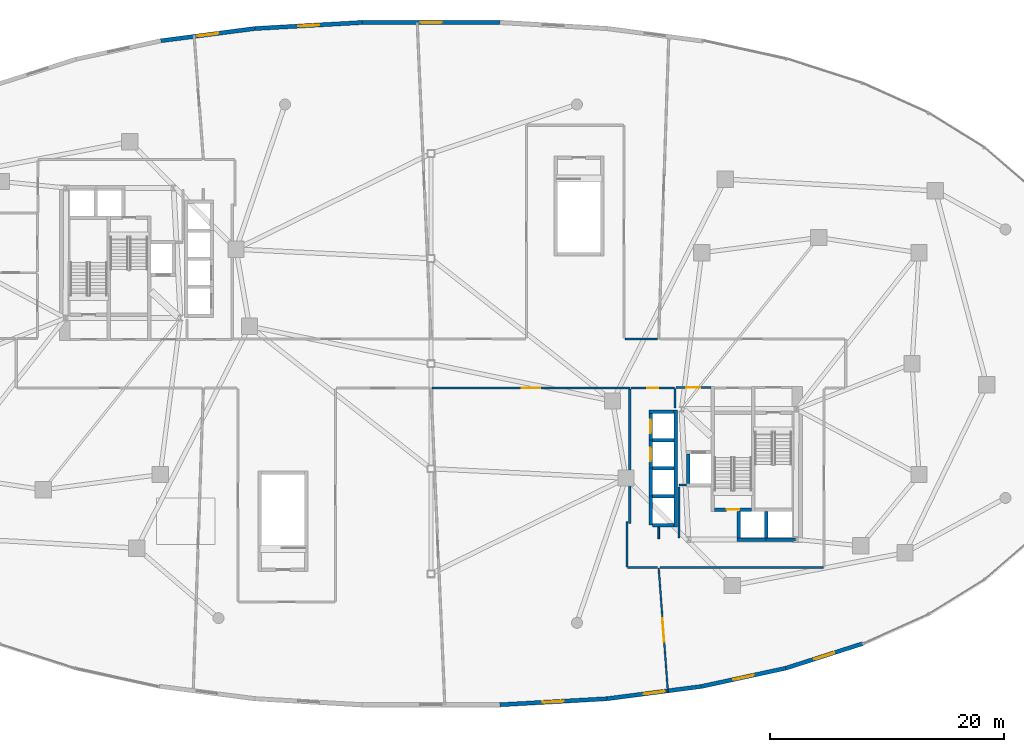
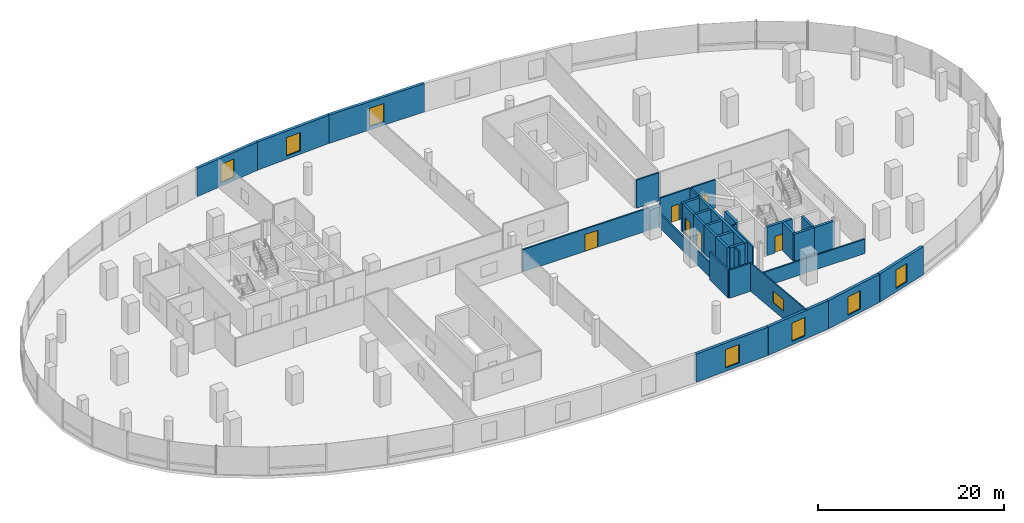
# One storey, part 14 of 18: 36 walls, 8 windows, 6 doors, 14 openings.
"""IFC4 building model written with IfcOpenShell, lengths in metres."""

from ifc_helpers import new_model, si_unit, direction, frame, frame_2d, origin, place, context, subcontext, project, spatial, rectangle, extrude, material, layer, layer_set, type_object, element, fill, save


model = new_model("IFC4")

# Units and contexts
model_context = context("Model", 3, precision=1e-05, world=origin(), true_north=direction((0.0, 1.0)))
body_context = subcontext(model_context, "Body", "Model", "MODEL_VIEW")
ifc_project = project(units=[si_unit("LENGTHUNIT", "METRE"), si_unit("AREAUNIT", "SQUARE_METRE"), si_unit("VOLUMEUNIT", "CUBIC_METRE"), si_unit("PLANEANGLEUNIT", "RADIAN"), si_unit("MASSUNIT", "GRAM", prefix="KILO"), si_unit("THERMODYNAMICTEMPERATUREUNIT", "KELVIN"), si_unit("POWERUNIT", "WATT")], contexts=[model_context])

# Site, building, storey
site_placement = place(None, origin())
site = spatial("IfcSite", under=ifc_project, at=site_placement, CompositionType="ELEMENT")
building_placement = place(site_placement, origin())
building = spatial("IfcBuilding", under=site, at=building_placement, Name="Cundina Bronze Exchange", CompositionType="ELEMENT")
storey_placement = place(building_placement, frame((0.0, 0.0, 20.0)))
storey = spatial("IfcBuildingStorey", under=building, at=storey_placement, Name="L04", CompositionType="ELEMENT", Elevation=20.0)

# Wall
ifc_material_1 = material(Name="Gypsum Fireboard Partition EI120")
ifc_layer_1 = layer(ifc_material_1, 0.179931640625, Name="Gypsum Fireboard Partition EI120")
ifc_layer_set_1 = layer_set([ifc_layer_1], Name="Gypsum Fireboard Partition EI120")
wall_type_1 = type_object("IfcWallType", Name="WL-COR-180", PredefinedType="PARTITIONING", material=ifc_layer_set_1)
wall_1_placement = place(storey_placement, frame((20.889892578125, -3.800048828125, 0.0), z_axis=(0.0, 0.0, 1.0), x_axis=(0.0, 1.0, 0.0)))
element("IfcWall", 1, at=wall_1_placement, inside=storey, type_object=wall_type_1, Name="L04 E Firefighting Lobby Side Wall", PredefinedType="PARTITIONING", context=body_context, shape_type="SweptSolid", body=[
    extrude(rectangle(XDim=1.650146484375, YDim=0.179931640625, at=frame_2d((0.8251953125, 0.0))), origin(), (0.0, 0.0, 1.0), 3.699951171875),
])

# Wall, opening, door
wall_2_placement = place(storey_placement, frame((20.97998046875, -2.06005859375, 0.0), z_axis=(0.0, 0.0, 1.0), x_axis=(1.0, 0.0, 0.0)))
wall_2 = element("IfcWall", 2, at=wall_2_placement, inside=storey, type_object=wall_type_1, Name="L04 E Firefighting Lobby Exit Wall", PredefinedType="PARTITIONING", context=body_context, shape_type="SweptSolid", body=[
    extrude(rectangle(XDim=3.0, YDim=0.179931640625, at=frame_2d((1.5, 0.0))), origin(), (0.0, 0.0, 1.0), 3.699951171875),
])
opening_1_placement = place(wall_2_placement, frame((0.89990234375, 0.0, 0.0)))
opening_1 = element("IfcOpeningElement", 3, at=opening_1_placement, cuts=wall_2, Name="Opening DF-01", PredefinedType="OPENING", context=body_context, shape_type="SweptSolid", body=[
    extrude(rectangle(XDim=1.199951171875, YDim=2.14990234375, at=frame_2d((0.60009765625, 1.074951171875))), frame((0.0, 0.099853515625, 0.0), z_axis=(0.0, -1.0, 0.0), x_axis=(1.0, 0.0, 0.0)), (0.0, 0.0, 1.0), 0.199951171875),
])
ifc_material_2 = material(Name="Steel ASTM A36 Painted", Category="steel")
door_type_1 = type_object("IfcDoorType", Name="DR-FFL-1200", OperationType="NOTDEFINED", PredefinedType="DOOR", material=ifc_material_2)
door_1_placement = place(opening_1_placement, origin())
door_1 = element("IfcDoor", 4, at=door_1_placement, inside=storey, type_object=door_type_1, Name="L04 E Firefighting Lobby Door", OperationType="SINGLE_SWING_LEFT", OverallHeight=2.14990234375, OverallWidth=1.199951171875, PredefinedType="DOOR", context=body_context, shape_type="SweptSolid", body=[
    extrude(rectangle(XDim=1.199951171875, YDim=2.14990234375, at=frame_2d((0.60009765625, 1.074951171875))), frame((0.0, 0.02490234375, 0.0), z_axis=(0.0, -1.0, 0.0), x_axis=(1.0, 0.0, 0.0)), (0.0, 0.0, 1.0), 0.050048828125),
])
fill(opening_1, door_1)

# Wall
wall_3_placement = place(storey_placement, frame((17.02001953125, -13.679931640625, 0.0), z_axis=(0.0, 0.0, 1.0), x_axis=(0.0, 1.0, 0.0)))
element("IfcWall", 5, at=wall_3_placement, inside=storey, type_object=wall_type_1, Name="L04 Interior Partition 006", PredefinedType="PARTITIONING", context=body_context, shape_type="SweptSolid", body=[
    extrude(rectangle(XDim=11.510009765625, YDim=0.179931640625, at=frame_2d((5.7548828125, 0.0))), origin(), (0.0, 0.0, 1.0), 1.89990234375),
])

# Wall, opening, door
wall_4_placement = place(storey_placement, frame((17.1201171875, -2.070068359375, 0.0), z_axis=(0.0, 0.0, 1.0), x_axis=(1.0, 0.0, 0.0)))
wall_4 = element("IfcWall", 6, at=wall_4_placement, inside=storey, type_object=wall_type_1, Name="L04 Interior Partition 007", PredefinedType="PARTITIONING", context=body_context, shape_type="SweptSolid", body=[
    extrude(rectangle(XDim=3.75, YDim=0.179931640625, at=frame_2d((1.875, 0.0))), origin(), (0.0, 0.0, 1.0), 3.699951171875),
])
opening_2_placement = place(wall_4_placement, frame((1.39990234375, 0.0, 0.0)))
opening_2 = element("IfcOpeningElement", 7, at=opening_2_placement, cuts=wall_4, Name="Opening DW-01", PredefinedType="OPENING", context=body_context, shape_type="SweptSolid", body=[
    extrude(rectangle(XDim=0.949951171875, YDim=2.10009765625, at=frame_2d((0.47509765625, 1.050048828125))), frame((0.0, 0.099853515625, 0.0), z_axis=(0.0, -1.0, 0.0), x_axis=(1.0, 0.0, 0.0)), (0.0, 0.0, 1.0), 0.199951171875),
])
ifc_material_3 = material(Name="Solid Andean Oak Timber Grade A", Category="wood")
door_type_2 = type_object("IfcDoorType", Name="DR-WC-950", OperationType="NOTDEFINED", PredefinedType="DOOR", material=ifc_material_3)
door_2_placement = place(opening_2_placement, origin())
door_2 = element("IfcDoor", 8, at=door_2_placement, inside=storey, type_object=door_type_2, Name="L04 Interior Door 007", OperationType="SINGLE_SWING_RIGHT", OverallHeight=2.10009765625, OverallWidth=0.949951171875, PredefinedType="DOOR", context=body_context, shape_type="SweptSolid", body=[
    extrude(rectangle(XDim=0.949951171875, YDim=2.10009765625, at=frame_2d((0.47509765625, 1.050048828125))), frame((0.0, 0.02490234375, 0.0), z_axis=(0.0, -1.0, 0.0), x_axis=(1.0, 0.0, 0.0)), (0.0, 0.0, 1.0), 0.050048828125),
])
fill(opening_2, door_2)

# Wall
wall_5_placement = place(storey_placement, frame((21.25, -14.929931640625, 0.0), z_axis=(0.0, 0.0, 1.0), x_axis=(0.0, 1.0, 0.0)))
element("IfcWall", 9, at=wall_5_placement, inside=storey, type_object=wall_type_1, Name="L04 Interior Partition 009", PredefinedType="PARTITIONING", context=body_context, shape_type="SweptSolid", body=[
    extrude(rectangle(XDim=4.35986328125, YDim=0.179931640625, at=frame_2d((2.179931640625, 0.0))), origin(), (0.0, 0.0, 1.0), 3.699951171875),
])

# Wall, opening, door
wall_6_placement = place(storey_placement, frame((0.094970703125, -2.10009765625, 0.0), z_axis=(0.0, 0.0, 1.0), x_axis=(1.0, 0.0, 0.0)))
wall_6 = element("IfcWall", 10, at=wall_6_placement, inside=storey, type_object=wall_type_1, Name="L04 Interior Partition 032", PredefinedType="PARTITIONING", context=body_context, shape_type="SweptSolid", body=[
    extrude(rectangle(XDim=16.945068359375, YDim=0.179931640625, at=frame_2d((8.47265625, 0.0))), origin(), (0.0, 0.0, 1.0), 2.922119140625),
])
opening_3_placement = place(wall_6_placement, frame((7.672607421875, 0.0, 0.0)))
opening_3 = element("IfcOpeningElement", 11, at=opening_3_placement, cuts=wall_6, Name="Opening DO-02", PredefinedType="OPENING", context=body_context, shape_type="SweptSolid", body=[
    extrude(rectangle(XDim=1.60009765625, YDim=2.199951171875, at=frame_2d((0.800048828125, 1.10009765625))), frame((0.0, 0.099853515625, 0.0), z_axis=(0.0, -1.0, 0.0), x_axis=(1.0, 0.0, 0.0)), (0.0, 0.0, 1.0), 0.199951171875),
])
door_type_3 = type_object("IfcDoorType", Name="DR-TRD-1600", OperationType="NOTDEFINED", PredefinedType="DOOR", material=ifc_material_3)
door_3_placement = place(opening_3_placement, origin())
door_3 = element("IfcDoor", 12, at=door_3_placement, inside=storey, type_object=door_type_3, Name="L04 Interior Door 032", OperationType="SINGLE_SWING_LEFT", OverallHeight=2.199951171875, OverallWidth=1.60009765625, PredefinedType="DOOR", context=body_context, shape_type="SweptSolid", body=[
    extrude(rectangle(XDim=1.60009765625, YDim=2.199951171875, at=frame_2d((0.800048828125, 1.10009765625))), frame((0.0, 0.02490234375, 0.0), z_axis=(0.0, -1.0, 0.0), x_axis=(1.0, 0.0, 0.0)), (0.0, 0.0, 1.0), 0.050048828125),
])
fill(opening_3, door_3)

# Walls
wall_7_placement = place(storey_placement, frame((16.780029296875, -13.521484375, 0.0), z_axis=(0.0, 0.0, 1.0), x_axis=(0.0, -1.0, 0.0)))
element("IfcWall", 13, at=wall_7_placement, inside=storey, type_object=wall_type_1, Name="L04 Interior Partition 033", PredefinedType="PARTITIONING", context=body_context, shape_type="SweptSolid", body=[
    extrude(rectangle(XDim=3.906982421875, YDim=0.179931640625, at=frame_2d((1.95361328125, 0.0))), origin(), (0.0, 0.0, 1.0), 3.699951171875),
])
wall_8_placement = place(storey_placement, frame((16.821533203125, -17.469970703125, 0.0), z_axis=(0.0, 0.0, 1.0), x_axis=(1.0, 0.0, 0.0)))
element("IfcWall", 14, at=wall_8_placement, inside=storey, type_object=wall_type_1, Name="L04 Interior Partition 034", PredefinedType="PARTITIONING", context=body_context, shape_type="SweptSolid", body=[
    extrude(rectangle(XDim=2.58349609375, YDim=0.179931640625, at=frame_2d((1.291748046875, 0.0))), origin(), (0.0, 0.0, 1.0), 3.699951171875),
])
wall_9_placement = place(storey_placement, frame((19.594970703125, -17.469970703125, 0.0), z_axis=(0.0, 0.0, 1.0), x_axis=(1.0, 0.0, 0.0)))
element("IfcWall", 15, at=wall_9_placement, inside=storey, type_object=wall_type_1, Name="L04 Interior Partition 041", PredefinedType="PARTITIONING", context=body_context, shape_type="SweptSolid", body=[
    extrude(rectangle(XDim=14.033447265625, YDim=0.179931640625, at=frame_2d((7.0166015625, 0.0))), origin(), (0.0, 0.0, 1.0), 1.89990234375),
])
wall_10_placement = place(storey_placement, frame((19.405029296875, 2.10009765625, 0.0), z_axis=(0.0, 0.0, 1.0), x_axis=(-1.0, 0.0, 0.0)))
element("IfcWall", 16, at=wall_10_placement, inside=storey, type_object=wall_type_1, Name="L04 Interior Partition 051", PredefinedType="PARTITIONING", context=body_context, shape_type="SweptSolid", body=[
    extrude(rectangle(XDim=2.804931640625, YDim=0.179931640625, at=frame_2d((1.40234375, 0.0))), origin(), (0.0, 0.0, 1.0), 3.699951171875),
])

# Wall, opening, window
ifc_material_4 = material(Name="Concrete C40/50", Category="concrete")
ifc_layer_2 = layer(ifc_material_4, 0.35009765625, Name="Concrete C40/50", Category="concrete")
ifc_layer_set_2 = layer_set([ifc_layer_2], Name="Concrete C40/50")
wall_type_2 = type_object("IfcWallType", Name="WL-EXT-350", PredefinedType="SOLIDWALL", material=ifc_layer_set_2)
wall_11_placement = place(storey_placement, frame((5.892578125, 29.21630859375, 0.0), z_axis=(0.0, 0.0, 1.0), x_axis=(-1.0, 0.0, 0.0)))
wall_11 = element("IfcWall", 17, at=wall_11_placement, inside=storey, type_object=wall_type_2, Name="L04 Podium Exterior Wall 10", PredefinedType="SOLIDWALL", context=body_context, shape_type="SweptSolid", body=[
    extrude(rectangle(XDim=11.78515625, YDim=0.35009765625, at=frame_2d((5.892578125, 0.0))), origin(), (0.0, 0.0, 1.0), 3.699951171875),
])
opening_4_placement = place(wall_11_placement, frame((4.991943359375, 0.0, 0.449951171875)))
opening_4 = element("IfcOpeningElement", 18, at=opening_4_placement, cuts=wall_11, Name="Opening W-02", PredefinedType="OPENING", context=body_context, shape_type="SweptSolid", body=[
    extrude(rectangle(XDim=1.800048828125, YDim=2.39990234375, at=frame_2d((0.89990234375, 1.199951171875))), frame((0.0, 0.18505859375, 0.0), z_axis=(0.0, -1.0, 0.0), x_axis=(1.0, 0.0, 0.0)), (0.0, 0.0, 1.0), 0.3701171875),
])
ifc_material_5 = material(Name="Heat-Strengthened Solar-Control Bronze Safety Glass 28mm", Category="glass")
window_type_1 = type_object("IfcWindowType", Name="WN-POD-1800", PartitioningType="SINGLE_PANEL", PredefinedType="WINDOW", material=ifc_material_5)
window_1_placement = place(opening_4_placement, origin())
window_1 = element("IfcWindow", 19, at=window_1_placement, inside=storey, type_object=window_type_1, Name="L04 Podium Punched Window 10", OverallHeight=2.39990234375, OverallWidth=1.800048828125, PartitioningType="SINGLE_PANEL", PredefinedType="WINDOW", context=body_context, shape_type="SweptSolid", body=[
    extrude(rectangle(XDim=1.800048828125, YDim=2.39990234375, at=frame_2d((0.89990234375, 1.199951171875))), frame((0.0, 0.030029296875, 0.0), z_axis=(0.0, -1.0, 0.0), x_axis=(1.0, 0.0, 0.0)), (0.0, 0.0, 1.0), 0.06005859375),
])
fill(opening_4, window_1)

wall_12_placement = place(storey_placement, frame((-5.892578125, 29.21630859375, 0.0), z_axis=(0.0, 0.0, 1.0), x_axis=(-0.998413463137, -0.056307695976, 0.0)))
wall_12 = element("IfcWall", 20, at=wall_12_placement, inside=storey, type_object=wall_type_2, Name="L04 Podium Exterior Wall 11", PredefinedType="SOLIDWALL", context=body_context, shape_type="SweptSolid", body=[
    extrude(rectangle(XDim=9.20068359375, YDim=0.35009765625, at=frame_2d((4.600341796875, 0.0))), origin(), (0.0, 0.0, 1.0), 3.699951171875),
])
opening_5_placement = place(wall_12_placement, frame((3.699951171875, 0.0, 0.449951171875)))
opening_5 = element("IfcOpeningElement", 21, at=opening_5_placement, cuts=wall_12, Name="Opening W-02", PredefinedType="OPENING", context=body_context, shape_type="SweptSolid", body=[
    extrude(rectangle(XDim=1.800048828125, YDim=2.39990234375, at=frame_2d((0.89990234375, 1.199951171875))), frame((0.0, 0.18505859375, 0.0), z_axis=(0.0, -1.0, 0.0), x_axis=(1.0, 0.0, 0.0)), (0.0, 0.0, 1.0), 0.3701171875),
])
window_2_placement = place(opening_5_placement, origin())
window_2 = element("IfcWindow", 22, at=window_2_placement, inside=storey, type_object=window_type_1, Name="L04 Podium Punched Window 11", OverallHeight=2.39990234375, OverallWidth=1.800048828125, PartitioningType="SINGLE_PANEL", PredefinedType="WINDOW", context=body_context, shape_type="SweptSolid", body=[
    extrude(rectangle(XDim=1.800048828125, YDim=2.39990234375, at=frame_2d((0.89990234375, 1.199951171875))), frame((0.0, 0.030029296875, 0.0), z_axis=(0.0, -1.0, 0.0), x_axis=(1.0, 0.0, 0.0)), (0.0, 0.0, 1.0), 0.06005859375),
])
fill(opening_5, window_2)

wall_13_placement = place(storey_placement, frame((-15.07861328125, 28.6982421875, 0.0), z_axis=(0.0, 0.0, 1.0), x_axis=(-0.991688106477, -0.128665067026, 0.0)))
wall_13 = element("IfcWall", 23, at=wall_13_placement, inside=storey, type_object=wall_type_2, Name="L04 Podium Exterior Wall 12", PredefinedType="SOLIDWALL", context=body_context, shape_type="SweptSolid", body=[
    extrude(rectangle(XDim=8.12890625, YDim=0.35009765625, at=frame_2d((4.064453125, 0.0))), origin(), (0.0, 0.0, 1.0), 3.699951171875),
])
opening_6_placement = place(wall_13_placement, frame((3.1640625, 0.0, 0.449951171875)))
opening_6 = element("IfcOpeningElement", 24, at=opening_6_placement, cuts=wall_13, Name="Opening W-02", PredefinedType="OPENING", context=body_context, shape_type="SweptSolid", body=[
    extrude(rectangle(XDim=1.800048828125, YDim=2.39990234375, at=frame_2d((0.89990234375, 1.199951171875))), frame((0.0, 0.18505859375, 0.0), z_axis=(0.0, -1.0, 0.0), x_axis=(1.0, 0.0, 0.0)), (0.0, 0.0, 1.0), 0.3701171875),
])
window_3_placement = place(opening_6_placement, origin())
window_3 = element("IfcWindow", 25, at=window_3_placement, inside=storey, type_object=window_type_1, Name="L04 Podium Punched Window 12", OverallHeight=2.39990234375, OverallWidth=1.800048828125, PartitioningType="SINGLE_PANEL", PredefinedType="WINDOW", context=body_context, shape_type="SweptSolid", body=[
    extrude(rectangle(XDim=1.800048828125, YDim=2.39990234375, at=frame_2d((0.89990234375, 1.199951171875))), frame((0.0, 0.030029296875, 0.0), z_axis=(0.0, -1.0, 0.0), x_axis=(1.0, 0.0, 0.0)), (0.0, 0.0, 1.0), 0.06005859375),
])
fill(opening_6, window_3)

wall_14_placement = place(storey_placement, frame((5.892578125, -29.21630859375, 0.0), z_axis=(0.0, 0.0, 1.0), x_axis=(0.998413463137, 0.056307695976, 0.0)))
wall_14 = element("IfcWall", 26, at=wall_14_placement, inside=storey, type_object=wall_type_2, Name="L04 Podium Exterior Wall 33", PredefinedType="SOLIDWALL", context=body_context, shape_type="SweptSolid", body=[
    extrude(rectangle(XDim=9.20068359375, YDim=0.35009765625, at=frame_2d((4.600341796875, 0.0))), origin(), (0.0, 0.0, 1.0), 3.699951171875),
])
opening_7_placement = place(wall_14_placement, frame((3.699951171875, 0.0, 0.449951171875)))
opening_7 = element("IfcOpeningElement", 27, at=opening_7_placement, cuts=wall_14, Name="Opening W-02", PredefinedType="OPENING", context=body_context, shape_type="SweptSolid", body=[
    extrude(rectangle(XDim=1.800048828125, YDim=2.39990234375, at=frame_2d((0.89990234375, 1.199951171875))), frame((0.0, 0.18505859375, 0.0), z_axis=(0.0, -1.0, 0.0), x_axis=(1.0, 0.0, 0.0)), (0.0, 0.0, 1.0), 0.3701171875),
])
window_4_placement = place(opening_7_placement, origin())
window_4 = element("IfcWindow", 28, at=window_4_placement, inside=storey, type_object=window_type_1, Name="L04 Podium Punched Window 33", OverallHeight=2.39990234375, OverallWidth=1.800048828125, PartitioningType="SINGLE_PANEL", PredefinedType="WINDOW", context=body_context, shape_type="SweptSolid", body=[
    extrude(rectangle(XDim=1.800048828125, YDim=2.39990234375, at=frame_2d((0.89990234375, 1.199951171875))), frame((0.0, 0.030029296875, 0.0), z_axis=(0.0, -1.0, 0.0), x_axis=(1.0, 0.0, 0.0)), (0.0, 0.0, 1.0), 0.06005859375),
])
fill(opening_7, window_4)

wall_15_placement = place(storey_placement, frame((15.07861328125, -28.6982421875, 0.0), z_axis=(0.0, 0.0, 1.0), x_axis=(0.991688106477, 0.128665067026, 0.0)))
wall_15 = element("IfcWall", 29, at=wall_15_placement, inside=storey, type_object=wall_type_2, Name="L04 Podium Exterior Wall 34", PredefinedType="SOLIDWALL", context=body_context, shape_type="SweptSolid", body=[
    extrude(rectangle(XDim=8.12890625, YDim=0.35009765625, at=frame_2d((4.064453125, 0.0))), origin(), (0.0, 0.0, 1.0), 3.699951171875),
])
opening_8_placement = place(wall_15_placement, frame((3.1640625, 0.0, 0.449951171875)))
opening_8 = element("IfcOpeningElement", 30, at=opening_8_placement, cuts=wall_15, Name="Opening W-02", PredefinedType="OPENING", context=body_context, shape_type="SweptSolid", body=[
    extrude(rectangle(XDim=1.800048828125, YDim=2.39990234375, at=frame_2d((0.89990234375, 1.199951171875))), frame((0.0, 0.18505859375, 0.0), z_axis=(0.0, -1.0, 0.0), x_axis=(1.0, 0.0, 0.0)), (0.0, 0.0, 1.0), 0.3701171875),
])
window_5_placement = place(opening_8_placement, origin())
window_5 = element("IfcWindow", 31, at=window_5_placement, inside=storey, type_object=window_type_1, Name="L04 Podium Punched Window 34", OverallHeight=2.39990234375, OverallWidth=1.800048828125, PartitioningType="SINGLE_PANEL", PredefinedType="WINDOW", context=body_context, shape_type="SweptSolid", body=[
    extrude(rectangle(XDim=1.800048828125, YDim=2.39990234375, at=frame_2d((0.89990234375, 1.199951171875))), frame((0.0, 0.030029296875, 0.0), z_axis=(0.0, -1.0, 0.0), x_axis=(1.0, 0.0, 0.0)), (0.0, 0.0, 1.0), 0.06005859375),
])
fill(opening_8, window_5)

wall_16_placement = place(storey_placement, frame((23.139892578125, -27.65234375, 0.0), z_axis=(0.0, 0.0, 1.0), x_axis=(0.977456656467, 0.211136175795, 0.0)))
wall_16 = element("IfcWall", 32, at=wall_16_placement, inside=storey, type_object=wall_type_2, Name="L04 Podium Exterior Wall 35", PredefinedType="SOLIDWALL", context=body_context, shape_type="SweptSolid", body=[
    extrude(rectangle(XDim=7.40625, YDim=0.35009765625, at=frame_2d((3.703125, 0.0))), origin(), (0.0, 0.0, 1.0), 3.699951171875),
])
opening_9_placement = place(wall_16_placement, frame((2.802978515625, 0.0, 0.449951171875)))
opening_9 = element("IfcOpeningElement", 33, at=opening_9_placement, cuts=wall_16, Name="Opening W-02", PredefinedType="OPENING", context=body_context, shape_type="SweptSolid", body=[
    extrude(rectangle(XDim=1.800048828125, YDim=2.39990234375, at=frame_2d((0.89990234375, 1.199951171875))), frame((0.0, 0.18505859375, 0.0), z_axis=(0.0, -1.0, 0.0), x_axis=(1.0, 0.0, 0.0)), (0.0, 0.0, 1.0), 0.3701171875),
])
window_6_placement = place(opening_9_placement, origin())
window_6 = element("IfcWindow", 34, at=window_6_placement, inside=storey, type_object=window_type_1, Name="L04 Podium Punched Window 35", OverallHeight=2.39990234375, OverallWidth=1.800048828125, PartitioningType="SINGLE_PANEL", PredefinedType="WINDOW", context=body_context, shape_type="SweptSolid", body=[
    extrude(rectangle(XDim=1.800048828125, YDim=2.39990234375, at=frame_2d((0.89990234375, 1.199951171875))), frame((0.0, 0.030029296875, 0.0), z_axis=(0.0, -1.0, 0.0), x_axis=(1.0, 0.0, 0.0)), (0.0, 0.0, 1.0), 0.06005859375),
])
fill(opening_9, window_6)

wall_17_placement = place(storey_placement, frame((30.379150390625, -26.088623046875, 0.0), z_axis=(0.0, 0.0, 1.0), x_axis=(0.952587993211, 0.304263233385, 0.0)))
wall_17 = element("IfcWall", 35, at=wall_17_placement, inside=storey, type_object=wall_type_2, Name="L04 Podium Exterior Wall 36", PredefinedType="SOLIDWALL", context=body_context, shape_type="SweptSolid", body=[
    extrude(rectangle(XDim=6.931884765625, YDim=0.35009765625, at=frame_2d((3.4658203125, 0.0))), origin(), (0.0, 0.0, 1.0), 3.699951171875),
])
opening_10_placement = place(wall_17_placement, frame((2.56591796875, 0.0, 0.449951171875)))
opening_10 = element("IfcOpeningElement", 36, at=opening_10_placement, cuts=wall_17, Name="Opening W-02", PredefinedType="OPENING", context=body_context, shape_type="SweptSolid", body=[
    extrude(rectangle(XDim=1.800048828125, YDim=2.39990234375, at=frame_2d((0.89990234375, 1.199951171875))), frame((0.0, 0.18505859375, 0.0), z_axis=(0.0, -1.0, 0.0), x_axis=(1.0, 0.0, 0.0)), (0.0, 0.0, 1.0), 0.3701171875),
])
window_7_placement = place(opening_10_placement, origin())
window_7 = element("IfcWindow", 37, at=window_7_placement, inside=storey, type_object=window_type_1, Name="L04 Podium Punched Window 36", OverallHeight=2.39990234375, OverallWidth=1.800048828125, PartitioningType="SINGLE_PANEL", PredefinedType="WINDOW", context=body_context, shape_type="SweptSolid", body=[
    extrude(rectangle(XDim=1.800048828125, YDim=2.39990234375, at=frame_2d((0.89990234375, 1.199951171875))), frame((0.0, 0.030029296875, 0.0), z_axis=(0.0, -1.0, 0.0), x_axis=(1.0, 0.0, 0.0)), (0.0, 0.0, 1.0), 0.06005859375),
])
fill(opening_10, window_7)

# Wall, opening, door
ifc_material_6 = material(Name="Concrete C50/60", Category="concrete")
ifc_layer_3 = layer(ifc_material_6, 0.300048828125, Name="Concrete C50/60", Category="concrete")
ifc_layer_set_3 = layer_set([ifc_layer_3], Name="Concrete C50/60")
wall_type_3 = type_object("IfcWallType", Name="WL-SHFT-300", PredefinedType="SHEAR", material=ifc_layer_set_3)
wall_18_placement = place(storey_placement, frame((24.280029296875, -12.5, 0.0), z_axis=(0.0, 0.0, 1.0), x_axis=(1.0, 0.0, 0.0)))
wall_18 = element("IfcWall", 38, at=wall_18_placement, inside=storey, type_object=wall_type_3, Name="L04 Stair E2 Landing Wall", PredefinedType="SHEAR", context=body_context, shape_type="SweptSolid", body=[
    extrude(rectangle(XDim=3.159912109375, YDim=0.300048828125, at=frame_2d((1.580078125, 0.0))), origin(), (0.0, 0.0, 1.0), 3.699951171875),
])
opening_11_placement = place(wall_18_placement, frame((1.030029296875, 0.0, 0.0)))
opening_11 = element("IfcOpeningElement", 39, at=opening_11_placement, cuts=wall_18, Name="Opening DS-01", PredefinedType="OPENING", context=body_context, shape_type="SweptSolid", body=[
    extrude(rectangle(XDim=1.10009765625, YDim=2.14990234375, at=frame_2d((0.550048828125, 1.074951171875))), frame((0.0, 0.159912109375, 0.0), z_axis=(0.0, -1.0, 0.0), x_axis=(1.0, 0.0, 0.0)), (0.0, 0.0, 1.0), 0.320068359375),
])
door_type_4 = type_object("IfcDoorType", Name="DR-STR-1100", OperationType="NOTDEFINED", PredefinedType="DOOR", material=ifc_material_2)
door_4_placement = place(opening_11_placement, origin())
door_4 = element("IfcDoor", 40, at=door_4_placement, inside=storey, type_object=door_type_4, Name="L04 Smokeproof Stair E2 Door", OperationType="SINGLE_SWING_RIGHT", OverallHeight=2.14990234375, OverallWidth=1.10009765625, PredefinedType="DOOR", context=body_context, shape_type="SweptSolid", body=[
    extrude(rectangle(XDim=1.10009765625, YDim=2.14990234375, at=frame_2d((0.550048828125, 1.074951171875))), frame((0.0, 0.02490234375, 0.0), z_axis=(0.0, -1.0, 0.0), x_axis=(1.0, 0.0, 0.0)), (0.0, 0.0, 1.0), 0.050048828125),
])
fill(opening_11, door_4)

# Walls
for number, where, z_axis, x_axis, name in (
    (41, (22.030029296875, -10.25, 0.0), (0.0, 0.0, 1.0), (0.0, 1.0, 0.0), "L04 FFL-E Hoistway Side Wall"),
    (42, (28.699951171875, -15.10009765625, 0.0), (0.0, 0.0, 1.0), (1.0, 0.0, 0.0), "L04 PH-E1 Hoistway Front Wall"),
):
    element("IfcWall", number, at=place(storey_placement, frame(where, z_axis=z_axis, x_axis=x_axis)), inside=storey, type_object=wall_type_3, Name=name, PredefinedType="SHEAR", context=body_context, shape_type="SweptSolid", body=[
        extrude(rectangle(XDim=2.5, YDim=0.300048828125, at=frame_2d((1.25, 0.0))), origin(), (0.0, 0.0, 1.0), 3.699951171875),
    ])
wall_19_placement = place(storey_placement, frame((28.699951171875, -14.949951171875, 0.0), z_axis=(0.0, 0.0, 1.0), x_axis=(0.0, 1.0, 0.0)))
element("IfcWall", 43, at=wall_19_placement, inside=storey, type_object=wall_type_3, Name="L04 PH-E1 Hoistway Divider Wall", PredefinedType="SHEAR", context=body_context, shape_type="SweptSolid", body=[
    extrude(rectangle(XDim=2.300048828125, YDim=0.300048828125, at=frame_2d((1.14990234375, 0.0))), origin(), (0.0, 0.0, 1.0), 3.699951171875),
])
wall_20_placement = place(storey_placement, frame((26.199951171875, -15.10009765625, 0.0), z_axis=(0.0, 0.0, 1.0), x_axis=(1.0, 0.0, 0.0)))
element("IfcWall", 44, at=wall_20_placement, inside=storey, type_object=wall_type_3, Name="L04 PH-E2 Hoistway Front Wall", PredefinedType="SHEAR", context=body_context, shape_type="SweptSolid", body=[
    extrude(rectangle(XDim=2.5, YDim=0.300048828125, at=frame_2d((1.25, 0.0))), origin(), (0.0, 0.0, 1.0), 3.699951171875),
])
wall_21_placement = place(storey_placement, frame((26.35009765625, -14.949951171875, 0.0), z_axis=(0.0, 0.0, 1.0), x_axis=(0.0, 1.0, 0.0)))
element("IfcWall", 45, at=wall_21_placement, inside=storey, type_object=wall_type_3, Name="L04 PH-E2 Hoistway Divider Wall", PredefinedType="SHEAR", context=body_context, shape_type="SweptSolid", body=[
    extrude(rectangle(XDim=2.300048828125, YDim=0.300048828125, at=frame_2d((1.14990234375, 0.0))), origin(), (0.0, 0.0, 1.0), 3.699951171875),
])
wall_22_placement = place(storey_placement, frame((20.949951171875, -14.0, 0.0), z_axis=(0.0, 0.0, 1.0), x_axis=(0.0, 1.0, 0.0)))
element("IfcWall", 46, at=wall_22_placement, inside=storey, type_object=wall_type_3, Name="L04 E Passenger Bank Hoistway Back Wall", PredefinedType="SHEAR", context=body_context, shape_type="SweptSolid", body=[
    extrude(rectangle(XDim=10.050048828125, YDim=0.300048828125, at=frame_2d((5.02490234375, 0.0))), origin(), (0.0, 0.0, 1.0), 3.699951171875),
])
wall_23_placement = place(storey_placement, frame((18.949951171875, -13.85009765625, 0.0), z_axis=(0.0, 0.0, 1.0), x_axis=(1.0, 0.0, 0.0)))
element("IfcWall", 47, at=wall_23_placement, inside=storey, type_object=wall_type_3, Name="L04 E Passenger Bank South Cap Wall", PredefinedType="SHEAR", context=body_context, shape_type="SweptSolid", body=[
    extrude(rectangle(XDim=1.85009765625, YDim=0.300048828125, at=frame_2d((0.925048828125, 0.0))), origin(), (0.0, 0.0, 1.0), 3.699951171875),
])
wall_24_placement = place(storey_placement, frame((18.64990234375, -4.10009765625, 0.0), z_axis=(0.0, 0.0, 1.0), x_axis=(1.0, 0.0, 0.0)))
element("IfcWall", 48, at=wall_24_placement, inside=storey, type_object=wall_type_3, Name="L04 E Passenger Bank North Cap Wall", PredefinedType="SHEAR", context=body_context, shape_type="SweptSolid", body=[
    extrude(rectangle(XDim=2.150146484375, YDim=0.300048828125, at=frame_2d((1.0751953125, 0.0))), origin(), (0.0, 0.0, 1.0), 3.699951171875),
])
for number, where, z_axis, x_axis, name in (
    (49, (18.949951171875, -11.375, 0.0), (0.0, 0.0, 1.0), (1.0, 0.0, 0.0), "L04 E Passenger Hoistway Divider 1"),
    (50, (18.949951171875, -8.97509765625, 0.0), (0.0, 0.0, 1.0), (1.0, 0.0, 0.0), "L04 E Passenger Hoistway Divider 2"),
    (51, (18.949951171875, -6.574951171875, 0.0), (0.0, 0.0, 1.0), (1.0, 0.0, 0.0), "L04 E Passenger Hoistway Divider 3"),
):
    element("IfcWall", number, at=place(storey_placement, frame(where, z_axis=z_axis, x_axis=x_axis)), inside=storey, type_object=wall_type_3, Name=name, PredefinedType="SHEAR", context=body_context, shape_type="SweptSolid", body=[
        extrude(rectangle(XDim=1.85009765625, YDim=0.300048828125, at=frame_2d((0.925048828125, 0.0))), origin(), (0.0, 0.0, 1.0), 3.699951171875),
    ])
for number, where, z_axis, x_axis, name in (
    (52, (18.800048828125, -13.820068359375, 0.0), (0.0, 0.0, 1.0), (0.0, 1.0, 0.0), "L04 PM-E1 Hoistway Front Wall"),
    (53, (18.800048828125, -11.419921875, 0.0), (0.0, 0.0, 1.0), (0.0, 1.0, 0.0), "L04 PM-E2 Hoistway Front Wall"),
):
    element("IfcWall", number, at=place(storey_placement, frame(where, z_axis=z_axis, x_axis=x_axis)), inside=storey, type_object=wall_type_3, Name=name, PredefinedType="SHEAR", context=body_context, shape_type="SweptSolid", body=[
        extrude(rectangle(XDim=2.489990234375, YDim=0.300048828125, at=frame_2d((1.2451171875, 0.0))), origin(), (0.0, 0.0, 1.0), 3.699951171875),
    ])

# Wall, opening, door
wall_25_placement = place(storey_placement, frame((18.800048828125, -9.02001953125, 0.0), z_axis=(0.0, 0.0, 1.0), x_axis=(0.0, 1.0, 0.0)))
wall_25 = element("IfcWall", 54, at=wall_25_placement, inside=storey, type_object=wall_type_3, Name="L04 PL-E1 Hoistway Front Wall", PredefinedType="SHEAR", context=body_context, shape_type="SweptSolid", body=[
    extrude(rectangle(XDim=2.489990234375, YDim=0.300048828125, at=frame_2d((1.2451171875, 0.0))), origin(), (0.0, 0.0, 1.0), 3.699951171875),
])
opening_12_placement = place(wall_25_placement, frame((0.669921875, 0.0, 0.0)))
opening_12 = element("IfcOpeningElement", 55, at=opening_12_placement, cuts=wall_25, Name="Opening LD-01", PredefinedType="OPENING", context=body_context, shape_type="SweptSolid", body=[
    extrude(rectangle(XDim=1.14990234375, YDim=2.199951171875, at=frame_2d((0.574951171875, 1.10009765625))), frame((0.0, 0.159912109375, 0.0), z_axis=(0.0, -1.0, 0.0), x_axis=(1.0, 0.0, 0.0)), (0.0, 0.0, 1.0), 0.320068359375),
])
door_type_5 = type_object("IfcDoorType", Name="DR-LND-1150", OperationType="NOTDEFINED", PredefinedType="TRAPDOOR", material=ifc_material_2)
door_5_placement = place(opening_12_placement, origin())
door_5 = element("IfcDoor", 56, at=door_5_placement, inside=storey, type_object=door_type_5, Name="L04 PL-E1 Sliding Landing Door", OperationType="SLIDING_TO_LEFT", OverallHeight=2.199951171875, OverallWidth=1.14990234375, PredefinedType="TRAPDOOR", context=body_context, shape_type="SweptSolid", body=[
    extrude(rectangle(XDim=1.14990234375, YDim=2.199951171875, at=frame_2d((0.574951171875, 1.10009765625))), frame((0.0, 0.02490234375, 0.0), z_axis=(0.0, -1.0, 0.0), x_axis=(1.0, 0.0, 0.0)), (0.0, 0.0, 1.0), 0.050048828125),
])
fill(opening_12, door_5)

wall_26_placement = place(storey_placement, frame((18.800048828125, -6.6201171875, 0.0), z_axis=(0.0, 0.0, 1.0), x_axis=(0.0, 1.0, 0.0)))
wall_26 = element("IfcWall", 57, at=wall_26_placement, inside=storey, type_object=wall_type_3, Name="L04 PL-E2 Hoistway Front Wall", PredefinedType="SHEAR", context=body_context, shape_type="SweptSolid", body=[
    extrude(rectangle(XDim=2.490234375, YDim=0.300048828125, at=frame_2d((1.2451171875, 0.0))), origin(), (0.0, 0.0, 1.0), 3.699951171875),
])
opening_13_placement = place(wall_26_placement, frame((0.669921875, 0.0, 0.0)))
opening_13 = element("IfcOpeningElement", 58, at=opening_13_placement, cuts=wall_26, Name="Opening LD-01", PredefinedType="OPENING", context=body_context, shape_type="SweptSolid", body=[
    extrude(rectangle(XDim=1.14990234375, YDim=2.199951171875, at=frame_2d((0.574951171875, 1.10009765625))), frame((0.0, 0.159912109375, 0.0), z_axis=(0.0, -1.0, 0.0), x_axis=(1.0, 0.0, 0.0)), (0.0, 0.0, 1.0), 0.320068359375),
])
door_6_placement = place(opening_13_placement, origin())
door_6 = element("IfcDoor", 59, at=door_6_placement, inside=storey, type_object=door_type_5, Name="L04 PL-E2 Sliding Landing Door", OperationType="SLIDING_TO_LEFT", OverallHeight=2.199951171875, OverallWidth=1.14990234375, PredefinedType="TRAPDOOR", context=body_context, shape_type="SweptSolid", body=[
    extrude(rectangle(XDim=1.14990234375, YDim=2.199951171875, at=frame_2d((0.574951171875, 1.10009765625))), frame((0.0, 0.02490234375, 0.0), z_axis=(0.0, -1.0, 0.0), x_axis=(1.0, 0.0, 0.0)), (0.0, 0.0, 1.0), 0.050048828125),
])
fill(opening_13, door_6)

# Wall, opening, window
ifc_material_7 = material(Name="Gypsum Acoustic Partition EI60")
ifc_layer_4 = layer(ifc_material_7, 0.14990234375, Name="Gypsum Acoustic Partition EI60")
ifc_layer_set_4 = layer_set([ifc_layer_4], Name="Gypsum Acoustic Partition EI60")
wall_type_4 = type_object("IfcWallType", Name="WL-TEN-150", PredefinedType="PARTITIONING", material=ifc_layer_set_4)
wall_27_placement = place(storey_placement, frame((20.2900390625, -28.108154296875, 0.0), z_axis=(0.0, 0.0, 1.0), x_axis=(-0.074269014628, 0.997238243082, 0.0)))
wall_27 = element("IfcWall", 60, at=wall_27_placement, inside=storey, type_object=wall_type_4, Name="L04 Interior Partition 024", PredefinedType="PARTITIONING", context=body_context, shape_type="SweptSolid", body=[
    extrude(rectangle(XDim=10.637451171875, YDim=0.14990234375, at=frame_2d((5.31884765625, 0.0))), origin(), (0.0, 0.0, 1.0), 3.699951171875),
])
opening_14_placement = place(wall_27_placement, frame((4.319091796875, 0.0, 1.050048828125)))
opening_14 = element("IfcOpeningElement", 61, at=opening_14_placement, cuts=wall_27, Name="Opening WI-01", PredefinedType="OPENING", context=body_context, shape_type="SweptSolid", body=[
    extrude(rectangle(XDim=2.0, YDim=1.5, at=frame_2d((1.0, 0.75))), frame((0.0, 0.0849609375, 0.0), z_axis=(0.0, -1.0, 0.0), x_axis=(1.0, 0.0, 0.0)), (0.0, 0.0, 1.0), 0.169921875),
])
ifc_material_8 = material(Name="Clear Low-E Insulating Glass 26mm", Category="glass")
window_type_2 = type_object("IfcWindowType", Name="WN-INT-2000", PartitioningType="SINGLE_PANEL", PredefinedType="WINDOW", material=ifc_material_8)
window_8_placement = place(opening_14_placement, origin())
window_8 = element("IfcWindow", 62, at=window_8_placement, inside=storey, type_object=window_type_2, Name="L04 Interior Acoustic Vision Window 024", OverallHeight=1.5, OverallWidth=2.0, PartitioningType="SINGLE_PANEL", PredefinedType="WINDOW", context=body_context, shape_type="SweptSolid", body=[
    extrude(rectangle(XDim=2.0, YDim=1.5, at=frame_2d((1.0, 0.75))), frame((0.0, 0.030029296875, 0.0), z_axis=(0.0, -1.0, 0.0), x_axis=(1.0, 0.0, 0.0)), (0.0, 0.0, 1.0), 0.06005859375),
])
fill(opening_14, window_8)

# Walls
wall_28_placement = place(storey_placement, frame((19.5, -15.0, 0.0), z_axis=(0.0, 0.0, 1.0), x_axis=(0.0, 1.0, 0.0)))
element("IfcWall", 63, at=wall_28_placement, inside=storey, type_object=wall_type_4, Name="L04 Interior Partition 025", PredefinedType="PARTITIONING", context=body_context, shape_type="SweptSolid", body=[
    extrude(rectangle(XDim=0.969970703125, YDim=0.14990234375, at=frame_2d((0.48486328125, 0.0))), origin(), (0.0, 0.0, 1.0), 3.699951171875),
])
ifc_material_9 = material(Name="Moisture-Resistant Masonry Block Grade M15", Category="masonry")
ifc_layer_5 = layer(ifc_material_9, 0.139892578125, Name="Moisture-Resistant Masonry Block Grade M15", Category="masonry")
ifc_layer_set_5 = layer_set([ifc_layer_5], Name="Moisture-Resistant Masonry Block Grade M15")
wall_type_5 = type_object("IfcWallType", Name="WL-WET-140", PredefinedType="PARTITIONING", material=ifc_layer_set_5)
wall_29_placement = place(storey_placement, frame((21.27001953125, -10.39990234375, 0.0), z_axis=(0.0, 0.0, 1.0), x_axis=(1.0, 0.0, 0.0)))
element("IfcWall", 64, at=wall_29_placement, inside=storey, type_object=wall_type_5, Name="L04 Interior Partition 008", PredefinedType="PARTITIONING", context=body_context, shape_type="SweptSolid", body=[
    extrude(rectangle(XDim=0.590087890625, YDim=0.139892578125, at=frame_2d((0.294921875, 0.0))), origin(), (0.0, 0.0, 1.0), 3.699951171875),
])

save(model, "model.ifc")
